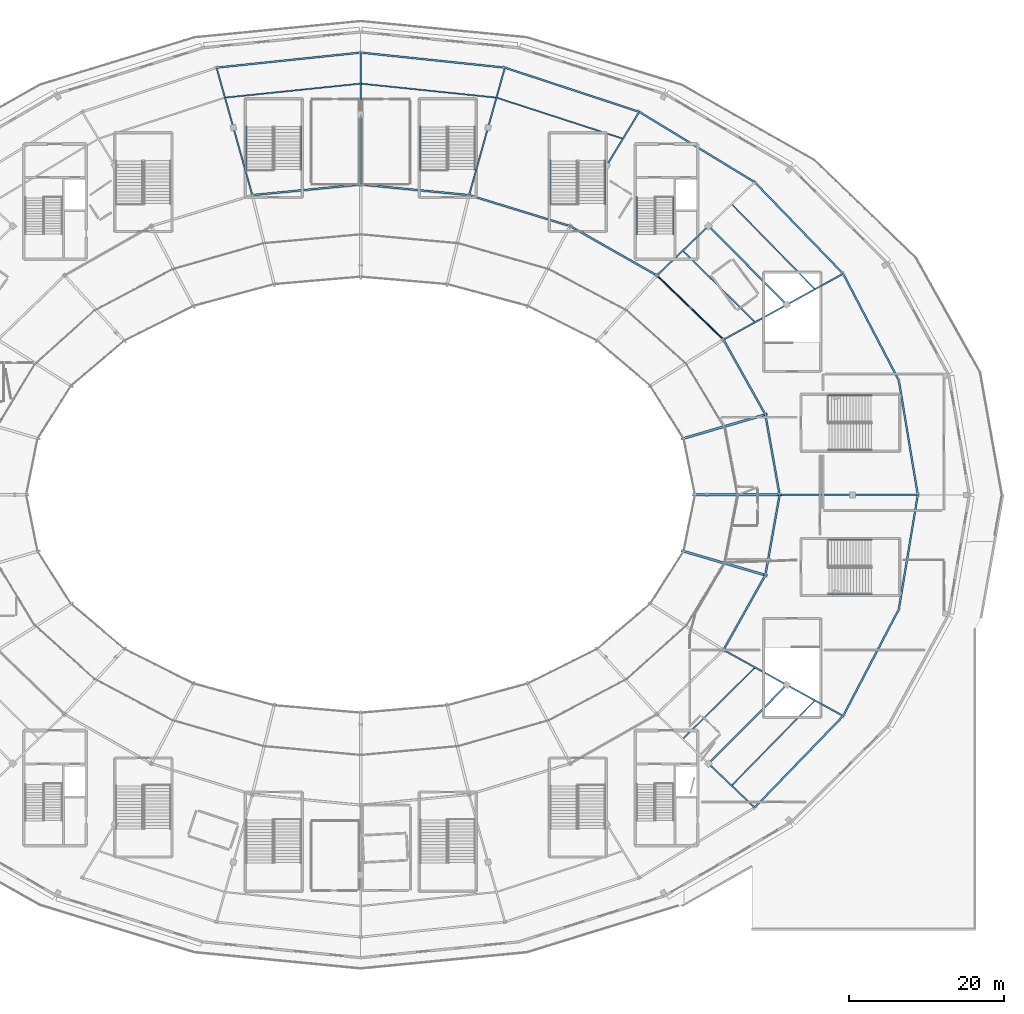
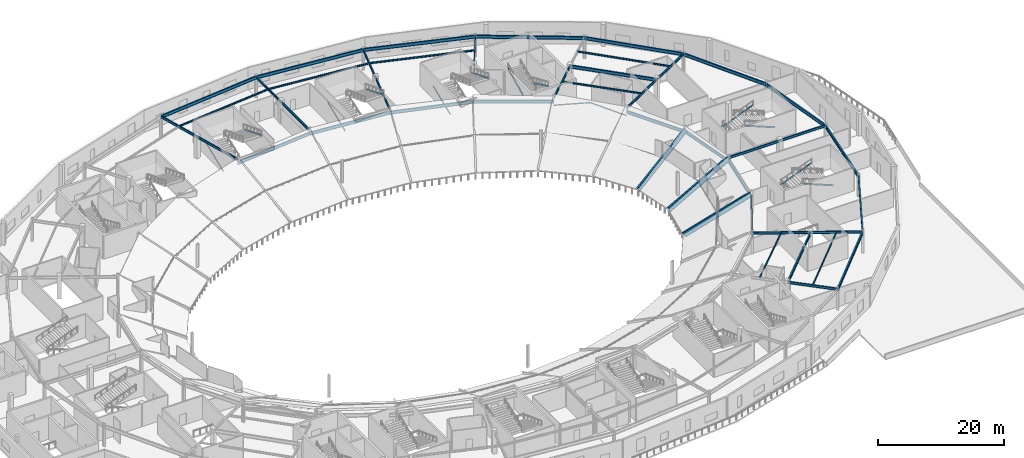
# One storey, part 15 of 63: 45 beams, 14 members.
"""IFC4 building model written with IfcOpenShell, lengths in metres."""

from ifc_helpers import new_model, si_unit, direction, frame, origin, origin_2d, place, context, subcontext, project, spatial, hollow_circle, i_section, extrude, material, material_profile, profile_set, type_object, element, save


model = new_model("IFC4")

# Units and contexts
model_context = context("Model", 3, precision=1e-05, world=origin(), true_north=direction((0.0, 1.0)))
body_context = subcontext(model_context, "Body", "Model", "MODEL_VIEW")
ifc_project = project(units=[si_unit("LENGTHUNIT", "METRE"), si_unit("AREAUNIT", "SQUARE_METRE"), si_unit("VOLUMEUNIT", "CUBIC_METRE"), si_unit("PLANEANGLEUNIT", "RADIAN"), si_unit("MASSUNIT", "GRAM", prefix="KILO")], contexts=[model_context])

# Site, building, storey
site_placement = place(None, origin())
site = spatial("IfcSite", under=ifc_project, at=site_placement, CompositionType="ELEMENT")
building_placement = place(site_placement, origin())
building = spatial("IfcBuilding", under=site, at=building_placement, Name="Kalgoora Escarpment Arena", CompositionType="ELEMENT")
storey_placement = place(building_placement, frame((0.0, 0.0, 14.39990234375)))
storey = spatial("IfcBuildingStorey", under=building, at=storey_placement, Name="L03", CompositionType="ELEMENT", Elevation=14.39990234375)

# Beams
ifc_material_1 = material(Name="Structural steel AS/NZS 3679 (300 MPa)", Category="steel")
ifc_material_profile_1 = material_profile(ifc_material_1, i_section(OverallWidth=0.1650390625, OverallDepth=0.303955078125, WebThickness=0.006103515625, FlangeThickness=0.01025390625, at=origin_2d()))
ifc_profile_set_1 = profile_set([ifc_material_profile_1], Name="Structural steel AS/NZS 3679 (300 MPa)")
beam_type_1 = type_object("IfcBeamType", Name="BM-BEAM-310UB40.4", PredefinedType="BEAM", material=ifc_profile_set_1)
beam_1_placement = place(storey_placement, frame((143.235595703125, 86.25, 4.048095703125), z_axis=(-0.711366651552, 0.702821091787, 0.0), x_axis=(-0.702821091787, -0.711366651552, 0.0)))
element("IfcBeam", 1, at=beam_1_placement, inside=storey, type_object=beam_type_1, Name="L03 Concourse secondary ring beam 310UB40.4", PredefinedType="BEAM", context=body_context, shape_type="SweptSolid", body=[
    extrude(i_section(OverallWidth=0.1650390625, OverallDepth=0.303955078125, WebThickness=0.006103515625, FlangeThickness=0.01025390625, at=origin_2d()), origin(), (0.0, 0.0, 1.0), 13.11328125),
])
beam_2_placement = place(storey_placement, frame((150.943359375, 90.5, 4.048095703125), z_axis=(-0.699451819528, 0.714679754967, 0.0), x_axis=(-0.714679754967, -0.699451819528, 0.0)))
element("IfcBeam", 2, at=beam_2_placement, inside=storey, type_object=beam_type_1, Name="L03 Concourse secondary ring beam 310UB40.4", PredefinedType="BEAM", context=body_context, shape_type="SweptSolid", body=[
    extrude(i_section(OverallWidth=0.1650390625, OverallDepth=0.303955078125, WebThickness=0.006103515625, FlangeThickness=0.01025390625, at=origin_2d()), origin(), (0.0, 0.0, 1.0), 15.359130859375),
])
beam_3_placement = place(storey_placement, frame((126.199951171875, 109.8994140625, 4.048095703125), z_axis=(-0.951103123122, 0.308873516489, 0.0), x_axis=(-0.308873516489, -0.951103123122, 0.0)))
element("IfcBeam", 3, at=beam_3_placement, inside=storey, type_object=beam_type_1, Name="L03 Concourse secondary ring beam 310UB40.4", PredefinedType="BEAM", context=body_context, shape_type="SweptSolid", body=[
    extrude(i_section(OverallWidth=0.1650390625, OverallDepth=0.303955078125, WebThickness=0.006103515625, FlangeThickness=0.01025390625, at=origin_2d()), origin(), (0.0, 0.0, 1.0), 17.141845703125),
])
beam_4_placement = place(storey_placement, frame((109.896240234375, 115.194091796875, 4.0380859375), z_axis=(-0.99471538009, 0.10267089467, 0.0), x_axis=(-0.10267089467, -0.99471538009, 0.0)))
element("IfcBeam", 4, at=beam_4_placement, inside=storey, type_object=beam_type_1, Name="L03 Concourse secondary ring beam 310UB40.4", PredefinedType="BEAM", context=body_context, shape_type="SweptSolid", body=[
    extrude(i_section(OverallWidth=0.1650390625, OverallDepth=0.303955078125, WebThickness=0.006103515625, FlangeThickness=0.01025390625, at=origin_2d()), origin(), (0.0, 0.0, 1.0), 17.58935546875),
])
beam_5_placement = place(storey_placement, frame((92.39990234375, 117.0, 4.0380859375), z_axis=(-0.994715233773, -0.102672312238, 0.0), x_axis=(0.102672312238, -0.994715233773, 0.0)))
element("IfcBeam", 5, at=beam_5_placement, inside=storey, type_object=beam_type_1, Name="L03 Concourse secondary ring beam 310UB40.4", PredefinedType="BEAM", context=body_context, shape_type="SweptSolid", body=[
    extrude(i_section(OverallWidth=0.1650390625, OverallDepth=0.303955078125, WebThickness=0.006103515625, FlangeThickness=0.01025390625, at=origin_2d()), origin(), (0.0, 0.0, 1.0), 17.589111328125),
])
beam_6_placement = place(storey_placement, frame((133.9072265625, 32.53369140625, 4.028076171875), z_axis=(0.711366651552, 0.702821091787, 0.0), x_axis=(-0.702821091787, 0.711366651552, 0.0)))
element("IfcBeam", 6, at=beam_6_placement, inside=storey, type_object=beam_type_1, Name="L03 Concourse secondary ring beam 310UB40.4", PredefinedType="BEAM", context=body_context, shape_type="SweptSolid", body=[
    extrude(i_section(OverallWidth=0.1650390625, OverallDepth=0.303955078125, WebThickness=0.006103515625, FlangeThickness=0.01025390625, at=origin_2d()), origin(), (0.0, 0.0, 1.0), 13.11328125),
])
beam_7_placement = place(storey_placement, frame((140.200439453125, 26.5234375, 4.028076171875), z_axis=(0.699459765506, 0.71467197821, 0.0), x_axis=(-0.71467197821, 0.699459765506, 0.0)))
element("IfcBeam", 7, at=beam_7_placement, inside=storey, type_object=beam_type_1, Name="L03 Concourse secondary ring beam 310UB40.4", PredefinedType="BEAM", context=body_context, shape_type="SweptSolid", body=[
    extrude(i_section(OverallWidth=0.1650390625, OverallDepth=0.303955078125, WebThickness=0.006103515625, FlangeThickness=0.01025390625, at=origin_2d()), origin(), (0.0, 0.0, 1.0), 15.35888671875),
])
ifc_material_2 = material(Name="Structural steel AS/NZS 3679 (300 MPa)", Category="steel")
ifc_material_profile_2 = material_profile(ifc_material_2, i_section(OverallWidth=0.19091796875, OverallDepth=0.4599609375, WebThickness=0.010009765625, FlangeThickness=0.01611328125, at=origin_2d()))
ifc_profile_set_2 = profile_set([ifc_material_profile_2], Name="Structural steel AS/NZS 3679 (300 MPa)")
beam_type_2 = type_object("IfcBeamType", Name="BM-GIRDER-460UB82.1", PredefinedType="USERDEFINED", material=ifc_profile_set_2)
beam_8_placement = place(storey_placement, frame((146.39990234375, 64.0, 3.9501953125), z_axis=(1.0, 0.0, 0.0), x_axis=(0.0, 1.0, 0.0)))
element("IfcBeam", 8, at=beam_8_placement, inside=storey, type_object=beam_type_2, Name="L03 Radial concourse girder 460UB82.1", ObjectType="GIRDER", PredefinedType="USERDEFINED", context=body_context, shape_type="SweptSolid", body=[
    extrude(i_section(OverallWidth=0.19091796875, OverallDepth=0.4599609375, WebThickness=0.010009765625, FlangeThickness=0.01611328125, at=origin_2d()), origin(), (0.0, 0.0, 1.0), 9.400146484375),
])
beam_9_placement = place(storey_placement, frame((155.800048828125, 64.0, 3.9501953125), z_axis=(1.0, 0.0, 0.0), x_axis=(0.0, 1.0, 0.0)))
element("IfcBeam", 9, at=beam_9_placement, inside=storey, type_object=beam_type_2, Name="L03 Radial concourse girder 460UB82.1", ObjectType="GIRDER", PredefinedType="USERDEFINED", context=body_context, shape_type="SweptSolid", body=[
    extrude(i_section(OverallWidth=0.19091796875, OverallDepth=0.4599609375, WebThickness=0.010009765625, FlangeThickness=0.01611328125, at=origin_2d()), origin(), (0.0, 0.0, 1.0), 8.39990234375),
])
beam_10_placement = place(storey_placement, frame((139.165283203125, 84.0, 3.97021484375), z_axis=(0.875185387072, 0.483787699571, 0.0), x_axis=(-0.483787699571, 0.875185387072, 0.0)))
element("IfcBeam", 10, at=beam_10_placement, inside=storey, type_object=beam_type_2, Name="L03 Radial concourse girder 460UB82.1", ObjectType="GIRDER", PredefinedType="USERDEFINED", context=body_context, shape_type="SweptSolid", body=[
    extrude(i_section(OverallWidth=0.19091796875, OverallDepth=0.4599609375, WebThickness=0.010009765625, FlangeThickness=0.01611328125, at=origin_2d()), origin(), (0.0, 0.0, 1.0), 9.301513671875),
])
beam_11_placement = place(storey_placement, frame((147.305908203125, 88.5, 3.97021484375), z_axis=(0.876269921306, 0.481820531956, 0.0), x_axis=(-0.481820531956, 0.876269921306, 0.0)))
element("IfcBeam", 11, at=beam_11_placement, inside=storey, type_object=beam_type_2, Name="L03 Radial concourse girder 460UB82.1", ObjectType="GIRDER", PredefinedType="USERDEFINED", context=body_context, shape_type="SweptSolid", body=[
    extrude(i_section(OverallWidth=0.19091796875, OverallDepth=0.4599609375, WebThickness=0.010009765625, FlangeThickness=0.01611328125, at=origin_2d()), origin(), (0.0, 0.0, 1.0), 8.3017578125),
])
beam_12_placement = place(storey_placement, frame((130.583740234375, 92.2841796875, 3.97021484375), z_axis=(0.722313931554, 0.691565314546, 0.0), x_axis=(-0.691565314546, 0.722313931554, 0.0)))
element("IfcBeam", 12, at=beam_12_placement, inside=storey, type_object=beam_type_2, Name="L03 Radial concourse girder 460UB82.1", ObjectType="GIRDER", PredefinedType="USERDEFINED", context=body_context, shape_type="SweptSolid", body=[
    extrude(i_section(OverallWidth=0.19091796875, OverallDepth=0.4599609375, WebThickness=0.010009765625, FlangeThickness=0.01611328125, at=origin_2d()), origin(), (0.0, 0.0, 1.0), 9.202392578125),
])
beam_13_placement = place(storey_placement, frame((124.10009765625, 106.435302734375, 3.97021484375), z_axis=(0.518407902139, 0.85513346736, 0.0), x_axis=(-0.85513346736, 0.518407902139, 0.0)))
element("IfcBeam", 13, at=beam_13_placement, inside=storey, type_object=beam_type_2, Name="L03 Radial concourse girder 460UB82.1", ObjectType="GIRDER", PredefinedType="USERDEFINED", context=body_context, shape_type="SweptSolid", body=[
    extrude(i_section(OverallWidth=0.19091796875, OverallDepth=0.4599609375, WebThickness=0.010009765625, FlangeThickness=0.01611328125, at=origin_2d()), origin(), (0.0, 0.0, 1.0), 8.1015625),
])
beam_14_placement = place(storey_placement, frame((106.376220703125, 102.636962890625, 3.97021484375), z_axis=(0.269498512386, 0.963000805722, 0.0), x_axis=(-0.963000805722, 0.269498512386, 0.0)))
element("IfcBeam", 14, at=beam_14_placement, inside=storey, type_object=beam_type_2, Name="L03 Radial concourse girder 460UB82.1", ObjectType="GIRDER", PredefinedType="USERDEFINED", context=body_context, shape_type="SweptSolid", body=[
    extrude(i_section(OverallWidth=0.19091796875, OverallDepth=0.4599609375, WebThickness=0.010009765625, FlangeThickness=0.01611328125, at=origin_2d()), origin(), (0.0, 0.0, 1.0), 9.02734375),
])
beam_15_placement = place(storey_placement, frame((108.80908203125, 111.330322265625, 3.97021484375), z_axis=(0.27082660355, 0.962628147734, 0.0), x_axis=(-0.962628147734, 0.27082660355, 0.0)))
element("IfcBeam", 15, at=beam_15_placement, inside=storey, type_object=beam_type_2, Name="L03 Radial concourse girder 460UB82.1", ObjectType="GIRDER", PredefinedType="USERDEFINED", context=body_context, shape_type="SweptSolid", body=[
    extrude(i_section(OverallWidth=0.19091796875, OverallDepth=0.4599609375, WebThickness=0.010009765625, FlangeThickness=0.01611328125, at=origin_2d()), origin(), (0.0, 0.0, 1.0), 8.027587890625),
])
beam_16_placement = place(storey_placement, frame((92.39990234375, 104.0, 3.960205078125), z_axis=(0.0, 1.0, 0.0), x_axis=(-1.0, 0.0, 0.0)))
element("IfcBeam", 16, at=beam_16_placement, inside=storey, type_object=beam_type_2, Name="L03 Radial concourse girder 460UB82.1", ObjectType="GIRDER", PredefinedType="USERDEFINED", context=body_context, shape_type="SweptSolid", body=[
    extrude(i_section(OverallWidth=0.19091796875, OverallDepth=0.4599609375, WebThickness=0.010009765625, FlangeThickness=0.01611328125, at=origin_2d()), origin(), (0.0, 0.0, 1.0), 9.0),
])
beam_17_placement = place(storey_placement, frame((92.39990234375, 113.0, 3.960205078125), z_axis=(0.0, 1.0, 0.0), x_axis=(-1.0, 0.0, 0.0)))
element("IfcBeam", 17, at=beam_17_placement, inside=storey, type_object=beam_type_2, Name="L03 Radial concourse girder 460UB82.1", ObjectType="GIRDER", PredefinedType="USERDEFINED", context=body_context, shape_type="SweptSolid", body=[
    extrude(i_section(OverallWidth=0.19091796875, OverallDepth=0.4599609375, WebThickness=0.010009765625, FlangeThickness=0.01611328125, at=origin_2d()), origin(), (0.0, 0.0, 1.0), 8.0),
])
beam_18_placement = place(storey_placement, frame((78.423828125, 102.636962890625, 3.960205078125), z_axis=(-0.269498512386, 0.963000805722, 0.0), x_axis=(-0.963000805722, -0.269498512386, 0.0)))
element("IfcBeam", 18, at=beam_18_placement, inside=storey, type_object=beam_type_2, Name="L03 Radial concourse girder 460UB82.1", ObjectType="GIRDER", PredefinedType="USERDEFINED", context=body_context, shape_type="SweptSolid", body=[
    extrude(i_section(OverallWidth=0.19091796875, OverallDepth=0.4599609375, WebThickness=0.010009765625, FlangeThickness=0.01611328125, at=origin_2d()), origin(), (0.0, 0.0, 1.0), 9.02734375),
])
beam_19_placement = place(storey_placement, frame((75.990966796875, 111.330322265625, 3.960205078125), z_axis=(-0.27082660355, 0.962628147734, 0.0), x_axis=(-0.962628147734, -0.27082660355, 0.0)))
element("IfcBeam", 19, at=beam_19_placement, inside=storey, type_object=beam_type_2, Name="L03 Radial concourse girder 460UB82.1", ObjectType="GIRDER", PredefinedType="USERDEFINED", context=body_context, shape_type="SweptSolid", body=[
    extrude(i_section(OverallWidth=0.19091796875, OverallDepth=0.4599609375, WebThickness=0.010009765625, FlangeThickness=0.01611328125, at=origin_2d()), origin(), (0.0, 0.0, 1.0), 8.027587890625),
])
beam_20_placement = place(storey_placement, frame((137.230712890625, 29.351806640625, 3.9501953125), z_axis=(0.724130144905, -0.689663347757, 0.0), x_axis=(0.689663347757, 0.724130144905, 0.0)))
element("IfcBeam", 20, at=beam_20_placement, inside=storey, type_object=beam_type_2, Name="L03 Radial concourse girder 460UB82.1", ObjectType="GIRDER", PredefinedType="USERDEFINED", context=body_context, shape_type="SweptSolid", body=[
    extrude(i_section(OverallWidth=0.19091796875, OverallDepth=0.4599609375, WebThickness=0.010009765625, FlangeThickness=0.01611328125, at=origin_2d()), origin(), (0.0, 0.0, 1.0), 8.20263671875),
])
beam_21_placement = place(storey_placement, frame((139.165283203125, 44.0, 3.9501953125), z_axis=(0.875185387072, -0.483787699571, 0.0), x_axis=(0.483787699571, 0.875185387072, 0.0)))
element("IfcBeam", 21, at=beam_21_placement, inside=storey, type_object=beam_type_2, Name="L03 Radial concourse girder 460UB82.1", ObjectType="GIRDER", PredefinedType="USERDEFINED", context=body_context, shape_type="SweptSolid", body=[
    extrude(i_section(OverallWidth=0.19091796875, OverallDepth=0.4599609375, WebThickness=0.010009765625, FlangeThickness=0.01611328125, at=origin_2d()), origin(), (0.0, 0.0, 1.0), 9.301513671875),
])
beam_22_placement = place(storey_placement, frame((147.305908203125, 39.5, 3.9501953125), z_axis=(0.876269921306, -0.481820531956, 0.0), x_axis=(0.481820531956, 0.876269921306, 0.0)))
element("IfcBeam", 22, at=beam_22_placement, inside=storey, type_object=beam_type_2, Name="L03 Radial concourse girder 460UB82.1", ObjectType="GIRDER", PredefinedType="USERDEFINED", context=body_context, shape_type="SweptSolid", body=[
    extrude(i_section(OverallWidth=0.19091796875, OverallDepth=0.4599609375, WebThickness=0.010009765625, FlangeThickness=0.01611328125, at=origin_2d()), origin(), (0.0, 0.0, 1.0), 8.3017578125),
])
ifc_material_3 = material(Name="Structural steel AS/NZS 3679 (300 MPa)", Category="steel")
ifc_material_profile_3 = material_profile(ifc_material_3, i_section(OverallWidth=0.22900390625, OverallDepth=0.612060546875, WebThickness=0.011962890625, FlangeThickness=0.01953125, at=origin_2d()))
ifc_profile_set_3 = profile_set([ifc_material_profile_3], Name="Structural steel AS/NZS 3679 (300 MPa)")
beam_type_3 = type_object("IfcBeamType", Name="BM-GIRDER-610UB125", PredefinedType="USERDEFINED", material=ifc_profile_set_3)
for number, where, z_axis, x_axis, name in (
    (23, (147.305908203125, 88.5, 3.89404296875), (-0.704549829117, 0.709654520377, 0.0), (-0.709654520377, -0.704549829117, 0.0), "L03 Circumferential concourse girder RCONC1 610UB125"),
    (24, (137.230712890625, 29.351806640625, 3.8740234375), (0.704549829117, 0.709654520377, 0.0), (-0.709654520377, 0.704549829117, 0.0), "L03 Circumferential concourse girder RCONC1 610UB125"),
):
    element("IfcBeam", number, at=place(storey_placement, frame(where, z_axis=z_axis, x_axis=x_axis)), inside=storey, type_object=beam_type_3, Name=name, ObjectType="GIRDER", PredefinedType="USERDEFINED", context=body_context, shape_type="SweptSolid", body=[
        extrude(i_section(OverallWidth=0.22900390625, OverallDepth=0.612060546875, WebThickness=0.011962890625, FlangeThickness=0.01953125, at=origin_2d()), origin(), (0.0, 0.0, 1.0), 14.30029296875),
    ])
beam_23_placement = place(storey_placement, frame((146.39990234375, 64.0, 3.274169921875), z_axis=(-0.174973315738, 0.984573175939, 0.0), x_axis=(-0.984573175939, -0.174973315738, 0.0)))
element("IfcBeam", 25, at=beam_23_placement, inside=storey, type_object=beam_type_3, Name="L03 Upper bowl raker collector ring girder 610UB125", ObjectType="GIRDER", PredefinedType="USERDEFINED", context=body_context, shape_type="SweptSolid", body=[
    extrude(i_section(OverallWidth=0.22900390625, OverallDepth=0.612060546875, WebThickness=0.011962890625, FlangeThickness=0.01953125, at=origin_2d()), origin(), (0.0, 0.0, 1.0), 10.514892578125),
])
beam_24_placement = place(storey_placement, frame((144.56005859375, 74.352783203125, 3.274169921875), z_axis=(-0.488075296374, 0.872801526734, 0.0), x_axis=(-0.872801526734, -0.488075296374, 0.0)))
element("IfcBeam", 26, at=beam_24_placement, inside=storey, type_object=beam_type_3, Name="L03 Upper bowl raker collector ring girder 610UB125", ObjectType="GIRDER", PredefinedType="USERDEFINED", context=body_context, shape_type="SweptSolid", body=[
    extrude(i_section(OverallWidth=0.22900390625, OverallDepth=0.612060546875, WebThickness=0.011962890625, FlangeThickness=0.01953125, at=origin_2d()), origin(), (0.0, 0.0, 1.0), 11.05322265625),
])
beam_25_placement = place(storey_placement, frame((130.583740234375, 92.2841796875, 3.274169921875), z_axis=(-0.869373733104, 0.494155149917, 0.0), x_axis=(-0.494155149917, -0.869373733104, 0.0)))
element("IfcBeam", 27, at=beam_25_placement, inside=storey, type_object=beam_type_3, Name="L03 Upper bowl raker collector ring girder 610UB125", ObjectType="GIRDER", PredefinedType="USERDEFINED", context=body_context, shape_type="SweptSolid", body=[
    extrude(i_section(OverallWidth=0.22900390625, OverallDepth=0.612060546875, WebThickness=0.011962890625, FlangeThickness=0.01953125, at=origin_2d()), origin(), (0.0, 0.0, 1.0), 12.8642578125),
])
beam_26_placement = place(storey_placement, frame((119.39990234375, 98.64111328125, 3.274169921875), z_axis=(-0.956014681671, 0.293318817038, 0.0), x_axis=(-0.293318817038, -0.956014681671, 0.0)))
element("IfcBeam", 28, at=beam_26_placement, inside=storey, type_object=beam_type_3, Name="L03 Upper bowl raker collector ring girder 610UB125", ObjectType="GIRDER", PredefinedType="USERDEFINED", context=body_context, shape_type="SweptSolid", body=[
    extrude(i_section(OverallWidth=0.22900390625, OverallDepth=0.612060546875, WebThickness=0.011962890625, FlangeThickness=0.01953125, at=origin_2d()), origin(), (0.0, 0.0, 1.0), 13.622802734375),
])
beam_27_placement = place(storey_placement, frame((106.376220703125, 102.636962890625, 3.274169921875), z_axis=(-0.995278116569, 0.097064260569, 0.0), x_axis=(-0.097064260569, -0.995278116569, 0.0)))
element("IfcBeam", 29, at=beam_27_placement, inside=storey, type_object=beam_type_3, Name="L03 Upper bowl raker collector ring girder 610UB125", ObjectType="GIRDER", PredefinedType="USERDEFINED", context=body_context, shape_type="SweptSolid", body=[
    extrude(i_section(OverallWidth=0.22900390625, OverallDepth=0.612060546875, WebThickness=0.011962890625, FlangeThickness=0.01953125, at=origin_2d()), origin(), (0.0, 0.0, 1.0), 14.042724609375),
])
beam_28_placement = place(storey_placement, frame((92.39990234375, 104.0, 3.274169921875), z_axis=(-0.995277952766, -0.097065940158, 0.0), x_axis=(0.097065940158, -0.995277952766, 0.0)))
element("IfcBeam", 30, at=beam_28_placement, inside=storey, type_object=beam_type_3, Name="L03 Upper bowl raker collector ring girder 610UB125", ObjectType="GIRDER", PredefinedType="USERDEFINED", context=body_context, shape_type="SweptSolid", body=[
    extrude(i_section(OverallWidth=0.22900390625, OverallDepth=0.612060546875, WebThickness=0.011962890625, FlangeThickness=0.01953125, at=origin_2d()), origin(), (0.0, 0.0, 1.0), 14.04248046875),
])
beam_29_placement = place(storey_placement, frame((139.165283203125, 44.0, 3.274169921875), z_axis=(0.488075296374, 0.872801526734, 0.0), x_axis=(-0.872801526734, 0.488075296374, 0.0)))
element("IfcBeam", 31, at=beam_29_placement, inside=storey, type_object=beam_type_3, Name="L03 Upper bowl raker collector ring girder 610UB125", ObjectType="GIRDER", PredefinedType="USERDEFINED", context=body_context, shape_type="SweptSolid", body=[
    extrude(i_section(OverallWidth=0.22900390625, OverallDepth=0.612060546875, WebThickness=0.011962890625, FlangeThickness=0.01953125, at=origin_2d()), origin(), (0.0, 0.0, 1.0), 11.05322265625),
])
beam_30_placement = place(storey_placement, frame((144.56005859375, 53.647216796875, 3.274169921875), z_axis=(0.174973315738, 0.984573175939, 0.0), x_axis=(-0.984573175939, 0.174973315738, 0.0)))
element("IfcBeam", 32, at=beam_30_placement, inside=storey, type_object=beam_type_3, Name="L03 Upper bowl raker collector ring girder 610UB125", ObjectType="GIRDER", PredefinedType="USERDEFINED", context=body_context, shape_type="SweptSolid", body=[
    extrude(i_section(OverallWidth=0.22900390625, OverallDepth=0.612060546875, WebThickness=0.011962890625, FlangeThickness=0.01953125, at=origin_2d()), origin(), (0.0, 0.0, 1.0), 10.514892578125),
])
ifc_material_4 = material(Name="Structural steel Grade 350 (350 MPa)", Category="steel")
ifc_material_profile_4 = material_profile(ifc_material_4, i_section(OverallWidth=0.300048828125, OverallDepth=1.010009765625, WebThickness=0.01611328125, FlangeThickness=0.030029296875, at=origin_2d()))
ifc_profile_set_4 = profile_set([ifc_material_profile_4], Name="Structural steel Grade 350 (350 MPa)")
beam_type_4 = type_object("IfcBeamType", Name="BM-RAKER-UPP", PredefinedType="USERDEFINED", material=ifc_profile_set_4)
beam_31_placement = place(storey_placement, frame((135.39990234375, 64.0, -2.2998046875), z_axis=(0.872847381688, 0.0, 0.487993287126), x_axis=(0.0, 1.0, 0.0)))
element("IfcBeam", 33, at=beam_31_placement, inside=storey, type_object=beam_type_4, Name="Upper bowl cantilevered RAKER girder R01", ObjectType="GIRDER", PredefinedType="USERDEFINED", context=body_context, shape_type="SweptSolid", body=[
    extrude(i_section(OverallWidth=0.300048828125, OverallDepth=1.010009765625, WebThickness=0.01611328125, FlangeThickness=0.030029296875, at=origin_2d()), origin(), (0.0, 0.0, 1.0), 12.6025390625),
])
for number, where, z_axis, x_axis, name in (
    (34, (133.934814453125, 71.246826171875, -2.2998046875), (0.839045220709, 0.24526856685, 0.485640245161), (-0.280576682098, 0.959831613078, 0.0), "Upper bowl cantilevered RAKER girder R02"),
    (35, (133.934814453125, 56.753173828125, -2.2998046875), (0.839045220709, -0.24526856685, 0.485640245161), (0.280576682098, 0.959831613078, 0.0), "Upper bowl cantilevered RAKER girder R24"),
):
    element("IfcBeam", number, at=place(storey_placement, frame(where, z_axis=z_axis, x_axis=x_axis)), inside=storey, type_object=beam_type_4, Name=name, ObjectType="GIRDER", PredefinedType="USERDEFINED", context=body_context, shape_type="SweptSolid", body=[
        extrude(i_section(OverallWidth=0.300048828125, OverallDepth=1.010009765625, WebThickness=0.01611328125, FlangeThickness=0.030029296875, at=origin_2d()), origin(), (0.0, 0.0, 1.0), 12.66357421875),
    ])
ifc_material_5 = material(Name="Structural steel AS/NZS 3679 (300 MPa)", Category="steel")
ifc_material_profile_5 = material_profile(ifc_material_5, i_section(OverallWidth=0.22900390625, OverallDepth=0.612060546875, WebThickness=0.011962890625, FlangeThickness=0.01953125, at=origin_2d()))
ifc_profile_set_5 = profile_set([ifc_material_profile_5], Name="Structural steel AS/NZS 3679 (300 MPa)")
beam_type_5 = type_object("IfcBeamType", Name="BM-SPANDREL-610UB125", PredefinedType="SPANDREL", material=ifc_profile_set_5)
beam_32_placement = place(storey_placement, frame((164.199951171875, 64.0, 3.8740234375), z_axis=(-0.163602052226, 0.986526415514, 0.0), x_axis=(-0.986526415514, -0.163602052226, 0.0)))
element("IfcBeam", 36, at=beam_32_placement, inside=storey, type_object=beam_type_5, Name="L03 Circumferential concourse girder RCONC2 610UB125", PredefinedType="SPANDREL", context=body_context, shape_type="SweptSolid", body=[
    extrude(i_section(OverallWidth=0.22900390625, OverallDepth=0.612060546875, WebThickness=0.011962890625, FlangeThickness=0.01953125, at=origin_2d()), origin(), (0.0, 0.0, 1.0), 14.9541015625),
])
beam_33_placement = place(storey_placement, frame((161.75341796875, 78.752685546875, 3.89404296875), z_axis=(-0.462583225327, 0.886575862319, 0.0), x_axis=(-0.886575862319, -0.462583225327, 0.0)))
element("IfcBeam", 37, at=beam_33_placement, inside=storey, type_object=beam_type_5, Name="L03 Circumferential concourse girder RCONC2 610UB125", PredefinedType="SPANDREL", context=body_context, shape_type="SweptSolid", body=[
    extrude(i_section(OverallWidth=0.22900390625, OverallDepth=0.612060546875, WebThickness=0.011962890625, FlangeThickness=0.01953125, at=origin_2d()), origin(), (0.0, 0.0, 1.0), 15.506103515625),
])
beam_34_placement = place(storey_placement, frame((154.58056640625, 92.5, 3.89404296875), z_axis=(-0.694974435465, 0.719034445663, 0.0), x_axis=(-0.719034445663, -0.694974435465, 0.0)))
element("IfcBeam", 38, at=beam_34_placement, inside=storey, type_object=beam_type_5, Name="L03 Circumferential concourse girder RCONC2 610UB125", PredefinedType="SPANDREL", context=body_context, shape_type="SweptSolid", body=[
    extrude(i_section(OverallWidth=0.22900390625, OverallDepth=0.612060546875, WebThickness=0.011962890625, FlangeThickness=0.01953125, at=origin_2d()), origin(), (0.0, 0.0, 1.0), 16.418212890625),
])
beam_35_placement = place(storey_placement, frame((143.17041015625, 104.30517578125, 3.89404296875), z_axis=(-0.854030640858, 0.520222706613, 0.0), x_axis=(-0.520222706613, -0.854030640858, 0.0)))
element("IfcBeam", 39, at=beam_35_placement, inside=storey, type_object=beam_type_5, Name="L03 Circumferential concourse girder RCONC2 610UB125", PredefinedType="SPANDREL", context=body_context, shape_type="SweptSolid", body=[
    extrude(i_section(OverallWidth=0.22900390625, OverallDepth=0.612060546875, WebThickness=0.011962890625, FlangeThickness=0.01953125, at=origin_2d()), origin(), (0.0, 0.0, 1.0), 17.411865234375),
])
beam_36_placement = place(storey_placement, frame((128.300048828125, 113.36328125, 3.89404296875), z_axis=(-0.949954555117, 0.312388129115, 0.0), x_axis=(-0.312388129115, -0.949954555117, 0.0)))
element("IfcBeam", 40, at=beam_36_placement, inside=storey, type_object=beam_type_5, Name="L03 Circumferential concourse girder RCONC2 610UB125", PredefinedType="SPANDREL", context=body_context, shape_type="SweptSolid", body=[
    extrude(i_section(OverallWidth=0.22900390625, OverallDepth=0.612060546875, WebThickness=0.011962890625, FlangeThickness=0.01953125, at=origin_2d()), origin(), (0.0, 0.0, 1.0), 18.229248046875),
])
beam_37_placement = place(storey_placement, frame((110.983154296875, 119.057861328125, 3.884033203125), z_axis=(-0.994583146525, 0.103944045753, 0.0), x_axis=(-0.103944045753, -0.994583146525, 0.0)))
element("IfcBeam", 41, at=beam_37_placement, inside=storey, type_object=beam_type_5, Name="L03 Circumferential concourse girder RCONC2 610UB125", PredefinedType="SPANDREL", context=body_context, shape_type="SweptSolid", body=[
    extrude(i_section(OverallWidth=0.22900390625, OverallDepth=0.612060546875, WebThickness=0.011962890625, FlangeThickness=0.01953125, at=origin_2d()), origin(), (0.0, 0.0, 1.0), 18.6845703125),
])
beam_38_placement = place(storey_placement, frame((92.39990234375, 121.0, 3.884033203125), z_axis=(-0.994583005347, -0.103945396599, 0.0), x_axis=(0.103945396599, -0.994583005347, 0.0)))
element("IfcBeam", 42, at=beam_38_placement, inside=storey, type_object=beam_type_5, Name="L03 Circumferential concourse girder RCONC2 610UB125", PredefinedType="SPANDREL", context=body_context, shape_type="SweptSolid", body=[
    extrude(i_section(OverallWidth=0.22900390625, OverallDepth=0.612060546875, WebThickness=0.011962890625, FlangeThickness=0.01953125, at=origin_2d()), origin(), (0.0, 0.0, 1.0), 18.684326171875),
])
beam_39_placement = place(storey_placement, frame((143.17041015625, 23.69482421875, 3.8740234375), z_axis=(0.694974435465, 0.719034445663, 0.0), x_axis=(-0.719034445663, 0.694974435465, 0.0)))
element("IfcBeam", 43, at=beam_39_placement, inside=storey, type_object=beam_type_5, Name="L03 Circumferential concourse girder RCONC2 610UB125", PredefinedType="SPANDREL", context=body_context, shape_type="SweptSolid", body=[
    extrude(i_section(OverallWidth=0.22900390625, OverallDepth=0.612060546875, WebThickness=0.011962890625, FlangeThickness=0.01953125, at=origin_2d()), origin(), (0.0, 0.0, 1.0), 16.418212890625),
])
beam_40_placement = place(storey_placement, frame((154.58056640625, 35.5, 3.8740234375), z_axis=(0.462583225327, 0.886575862319, 0.0), x_axis=(-0.886575862319, 0.462583225327, 0.0)))
element("IfcBeam", 44, at=beam_40_placement, inside=storey, type_object=beam_type_5, Name="L03 Circumferential concourse girder RCONC2 610UB125", PredefinedType="SPANDREL", context=body_context, shape_type="SweptSolid", body=[
    extrude(i_section(OverallWidth=0.22900390625, OverallDepth=0.612060546875, WebThickness=0.011962890625, FlangeThickness=0.01953125, at=origin_2d()), origin(), (0.0, 0.0, 1.0), 15.506103515625),
])
beam_41_placement = place(storey_placement, frame((161.75341796875, 49.247314453125, 3.8740234375), z_axis=(0.163602052226, 0.986526415514, 0.0), x_axis=(-0.986526415514, 0.163602052226, 0.0)))
element("IfcBeam", 45, at=beam_41_placement, inside=storey, type_object=beam_type_5, Name="L03 Circumferential concourse girder RCONC2 610UB125", PredefinedType="SPANDREL", context=body_context, shape_type="SweptSolid", body=[
    extrude(i_section(OverallWidth=0.22900390625, OverallDepth=0.612060546875, WebThickness=0.011962890625, FlangeThickness=0.01953125, at=origin_2d()), origin(), (0.0, 0.0, 1.0), 14.9541015625),
])

# Members
ifc_material_6 = material(Name="Structural steel C350 (350 MPa)", Category="steel")
ifc_material_profile_6 = material_profile(ifc_material_6, hollow_circle(Radius=0.109619140625, WallThickness=0.00830078125, at=origin_2d()))
ifc_profile_set_6 = profile_set([ifc_material_profile_6], Name="Structural steel C350 (350 MPa)")
member_type_1 = type_object("IfcMemberType", Name="MEM-BRACE-CHS219", PredefinedType="BRACE", material=ifc_profile_set_6)
for number, where, z_axis, x_axis, name in (
    (46, (139.165283203125, 84.0, 2.52001953125), (-0.696893494727, 0.672745094255, 0.248502505346), (-0.694531682696, -0.719462119733, 0.0), "L03 concentric lateral brace R03-1"),
    (47, (130.583740234375, 92.2841796875, 2.52001953125), (0.696893494727, -0.672745094255, 0.248502505346), (0.694531682696, 0.719462119733, 0.0), "L03 concentric lateral brace R03-2"),
):
    element("IfcMember", number, at=place(storey_placement, frame(where, z_axis=z_axis, x_axis=x_axis)), inside=storey, type_object=member_type_1, Name=name, PredefinedType="BRACE", context=body_context, shape_type="SweptSolid", body=[
        extrude(hollow_circle(Radius=0.109619140625, WallThickness=0.00830078125, at=origin_2d()), origin(), (0.0, 0.0, 1.0), 6.156982421875),
    ])
ifc_material_7 = material(Name="Structural steel AS/NZS 3679 (300 MPa)", Category="steel")
ifc_material_profile_7 = material_profile(ifc_material_7, i_section(OverallWidth=0.090087890625, OverallDepth=0.300048828125, WebThickness=0.008056640625, FlangeThickness=0.01611328125, at=origin_2d()))
ifc_profile_set_7 = profile_set([ifc_material_profile_7], Name="Structural steel AS/NZS 3679 (300 MPa)")
member_type_2 = type_object("IfcMemberType", Name="MEM-STRINGER-PFC", PredefinedType="STRINGER", material=ifc_profile_set_7)
for number, where, z_axis, x_axis, name in (
    (48, (132.72998046875, 102.31005859375, -0.039794921875), (0.0, -0.902682652253, 0.430306901317), (1.0, 0.0, 0.0), "ST04 L03 steel stair stringer 1"),
    (49, (127.969970703125, 97.590087890625, 2.210205078125), (0.0, 0.902682652253, 0.430306901317), (-1.0, 0.0, 0.0), "ST04 L03 steel stair stringer 2"),
):
    element("IfcMember", number, at=place(storey_placement, frame(where, z_axis=z_axis, x_axis=x_axis)), inside=storey, type_object=member_type_2, Name=name, PredefinedType="STRINGER", context=body_context, shape_type="SweptSolid", body=[
        extrude(i_section(OverallWidth=0.090087890625, OverallDepth=0.300048828125, WebThickness=0.008056640625, FlangeThickness=0.01611328125, at=origin_2d()), origin(), (0.0, 0.0, 1.0), 5.228759765625),
    ])
for number, where, z_axis, x_axis, name in (
    (50, (77.669921875, 105.889892578125, -0.039794921875), (0.0, 0.926975796404, 0.375121144273), (-1.0, 0.0, 0.0), "ST10 L03 steel stair stringer 1"),
    (51, (84.72998046875, 111.449951171875, 2.210205078125), (0.0, -0.926975796404, 0.375121144273), (1.0, 0.0, 0.0), "ST10 L03 steel stair stringer 2"),
    (52, (100.070068359375, 105.889892578125, -0.039794921875), (0.0, 0.926975796404, 0.375121144273), (-1.0, 0.0, 0.0), "ST11 L03 steel stair stringer 1"),
    (53, (107.1298828125, 111.449951171875, 2.210205078125), (0.0, -0.926975796404, 0.375121144273), (1.0, 0.0, 0.0), "ST11 L03 steel stair stringer 2"),
    (54, (116.8701171875, 101.489990234375, -0.039794921875), (0.0, 0.926975796404, 0.375121144273), (-1.0, 0.0, 0.0), "ST12 L03 steel stair stringer 1"),
    (55, (123.929931640625, 107.050048828125, 2.210205078125), (0.0, -0.926975796404, 0.375121144273), (1.0, 0.0, 0.0), "ST12 L03 steel stair stringer 2"),
    (56, (152.68994140625, 76.830078125, -0.039794921875), (0.926975796404, 0.0, 0.375121144273), (0.0, 1.0, 0.0), "ST21 L03 steel stair stringer 1"),
    (57, (158.25, 69.77001953125, 2.210205078125), (-0.926975796404, 0.0, 0.375121144273), (0.0, -1.0, 0.0), "ST21 L03 steel stair stringer 2"),
    (58, (152.68994140625, 58.22998046875, -0.039794921875), (0.926975796404, 0.0, 0.375121144273), (0.0, 1.0, 0.0), "ST22 L03 steel stair stringer 1"),
    (59, (158.25, 51.169921875, 2.210205078125), (-0.926975796404, 0.0, 0.375121144273), (0.0, -1.0, 0.0), "ST22 L03 steel stair stringer 2"),
):
    element("IfcMember", number, at=place(storey_placement, frame(where, z_axis=z_axis, x_axis=x_axis)), inside=storey, type_object=member_type_2, Name=name, PredefinedType="STRINGER", context=body_context, shape_type="SweptSolid", body=[
        extrude(i_section(OverallWidth=0.090087890625, OverallDepth=0.300048828125, WebThickness=0.008056640625, FlangeThickness=0.01611328125, at=origin_2d()), origin(), (0.0, 0.0, 1.0), 5.998046875),
    ])

save(model, "model.ifc")
